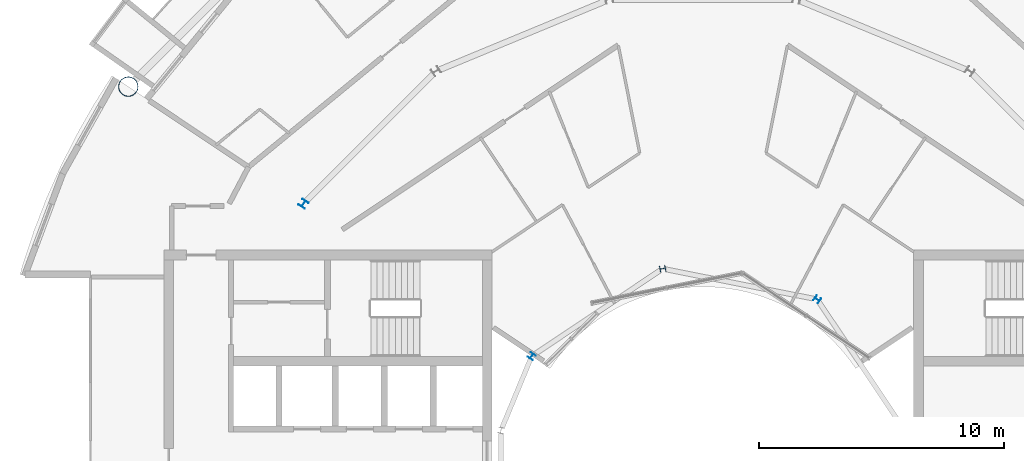
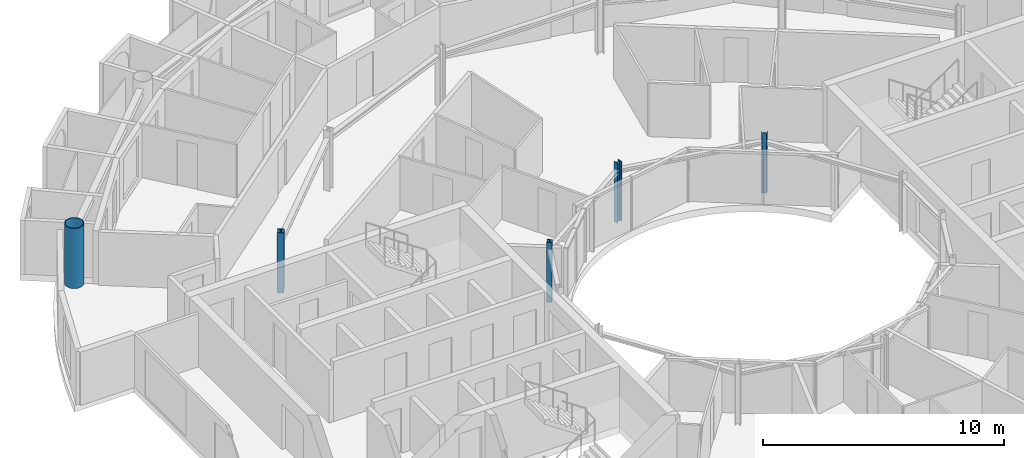
# One storey, part 4 of 28: 5 columns.
"""IFC4 building model written with IfcOpenShell, lengths in metres."""

from ifc_helpers import new_model, si_unit, direction, frame, origin, origin_2d, place, context, subcontext, project, spatial, hollow_circle, i_section, extrude, material, material_profile, profile_set, type_object, element, save


model = new_model("IFC4")

# Units and contexts
model_context = context("Model", 3, precision=1e-05, world=origin(), true_north=direction((0.0, 1.0)))
body_context = subcontext(model_context, "Body", "Model", "MODEL_VIEW")
ifc_project = project(units=[si_unit("LENGTHUNIT", "METRE"), si_unit("AREAUNIT", "SQUARE_METRE"), si_unit("VOLUMEUNIT", "CUBIC_METRE"), si_unit("PLANEANGLEUNIT", "RADIAN"), si_unit("MASSUNIT", "GRAM", prefix="KILO")], contexts=[model_context])

# Site, building, storey
site_placement = place(None, origin())
site = spatial("IfcSite", under=ifc_project, at=site_placement, CompositionType="ELEMENT")
building_placement = place(site_placement, origin())
building = spatial("IfcBuilding", under=site, at=building_placement, Name="Maasbend Ring Residences", CompositionType="ELEMENT")
storey_placement = place(building_placement, frame((0.0, 0.0, 227.949951171875)))
storey = spatial("IfcBuildingStorey", under=building, at=storey_placement, Name="L65", CompositionType="ELEMENT", Elevation=227.949951171875)

# Columns
ifc_material_1 = material(Name="Composite concrete-filled steel tube S460NH / C80/95", Category="concrete")
ifc_material_profile_1 = material_profile(ifc_material_1, hollow_circle(Radius=0.406494140625, WallThickness=0.030029296875, at=origin_2d()), Name="Composite tube column CHS 813x30")
ifc_profile_set_1 = profile_set([ifc_material_profile_1], Name="Composite concrete-filled steel tube S460NH / C80/95")
column_type_1 = type_object("IfcColumnType", Name="Composite tube column CHS 813x30", PredefinedType="COLUMN", material=ifc_profile_set_1)
column_1_placement = place(storey_placement, frame((-23.447509765625, 15.6669921875, 0.0), z_axis=(0.0, 0.0, 1.0), x_axis=(1.0, 0.0, 0.0)))
element("IfcColumn", 1, at=column_1_placement, inside=storey, type_object=column_type_1, Name="Outer column R7", PredefinedType="COLUMN", context=body_context, shape_type="SweptSolid", body=[
    extrude(hollow_circle(Radius=0.406494140625, WallThickness=0.030029296875, at=origin_2d()), origin(), (0.0, 0.0, 1.0), 3.050048828125),
])
ifc_material_2 = material(Name="Steel S355J2", Category="steel")
ifc_material_profile_2 = material_profile(ifc_material_2, i_section(OverallWidth=0.239990234375, OverallDepth=0.22998046875, WebThickness=0.007568359375, FlangeThickness=0.011962890625, FilletRadius=0.02099609375, at=origin_2d()), Name="HEA 240")
ifc_profile_set_2 = profile_set([ifc_material_profile_2], Name="Steel S355J2")
column_type_2 = type_object("IfcColumnType", Name="Steel column HEA 240", PredefinedType="COLUMN", material=ifc_profile_set_2)
for number, where, z_axis, x_axis, name in (
    (2, (4.666748046875, 6.984375, 0.0), (0.0, 0.0, 1.0), (0.55557023302, 0.831469612303, 0.0), "Well ring column R3"),
    (3, (-1.638916015625, 8.238525390625, 0.0), (0.0, 0.0, 1.0), (-0.195090322016, 0.980785280403, 0.0), "Well ring column R5"),
    (4, (-6.984375, 4.666748046875, 0.0), (0.0, 0.0, 1.0), (-0.831469612303, 0.55557023302, 0.0), "Well ring column R7"),
):
    element("IfcColumn", number, at=place(storey_placement, frame(where, z_axis=z_axis, x_axis=x_axis)), inside=storey, type_object=column_type_2, Name=name, PredefinedType="COLUMN", context=body_context, shape_type="SweptSolid", body=[
        extrude(i_section(OverallWidth=0.239990234375, OverallDepth=0.22998046875, WebThickness=0.007568359375, FlangeThickness=0.011962890625, FilletRadius=0.02099609375, at=origin_2d()), origin(), (0.0, 0.0, 1.0), 3.050048828125),
    ])
ifc_material_3 = material(Name="Steel S355J2", Category="steel")
ifc_material_profile_3 = material_profile(ifc_material_3, i_section(OverallWidth=0.300048828125, OverallDepth=0.300048828125, WebThickness=0.010986328125, FlangeThickness=0.01904296875, FilletRadius=0.027099609375, at=origin_2d()), Name="HEB 300")
ifc_profile_set_3 = profile_set([ifc_material_profile_3], Name="Steel S355J2")
column_type_3 = type_object("IfcColumnType", Name="Steel column HEB 300", PredefinedType="COLUMN", material=ifc_profile_set_3)
column_2_placement = place(storey_placement, frame((-16.296875, 10.88916015625, 0.0), z_axis=(0.0, 0.0, 1.0), x_axis=(-0.831469612303, 0.55557023302, 0.0)))
element("IfcColumn", 5, at=column_2_placement, inside=storey, type_object=column_type_3, Name="Corridor ring column R7", PredefinedType="COLUMN", context=body_context, shape_type="SweptSolid", body=[
    extrude(i_section(OverallWidth=0.300048828125, OverallDepth=0.300048828125, WebThickness=0.010986328125, FlangeThickness=0.01904296875, FilletRadius=0.027099609375, at=origin_2d()), origin(), (0.0, 0.0, 1.0), 3.050048828125),
])

save(model, "model.ifc")
